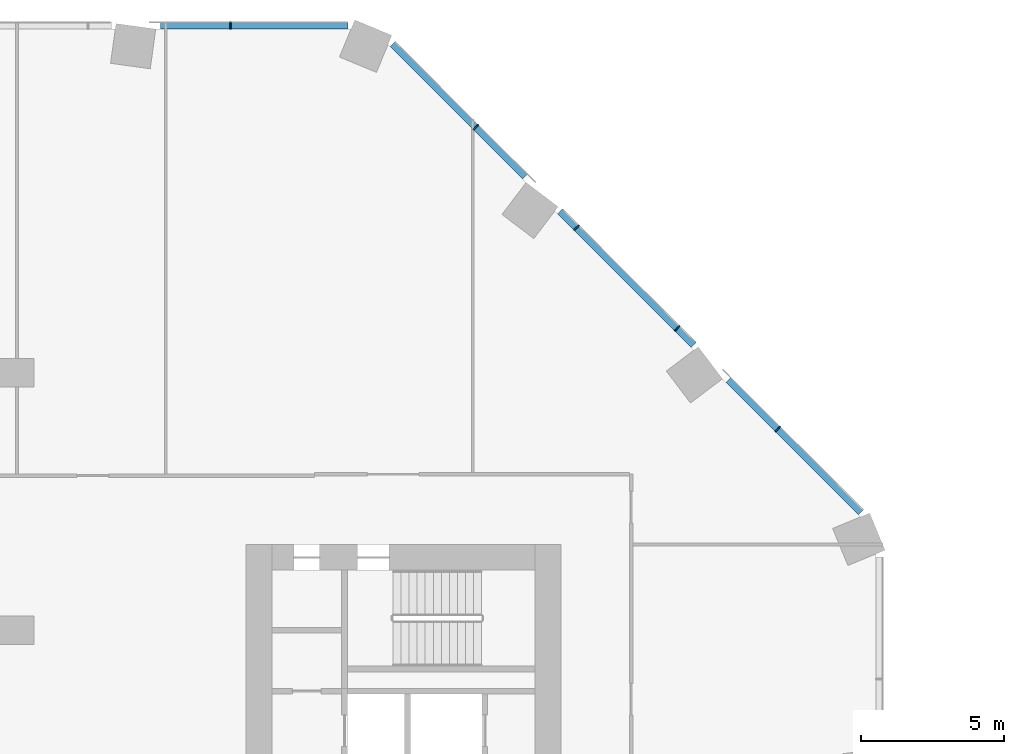
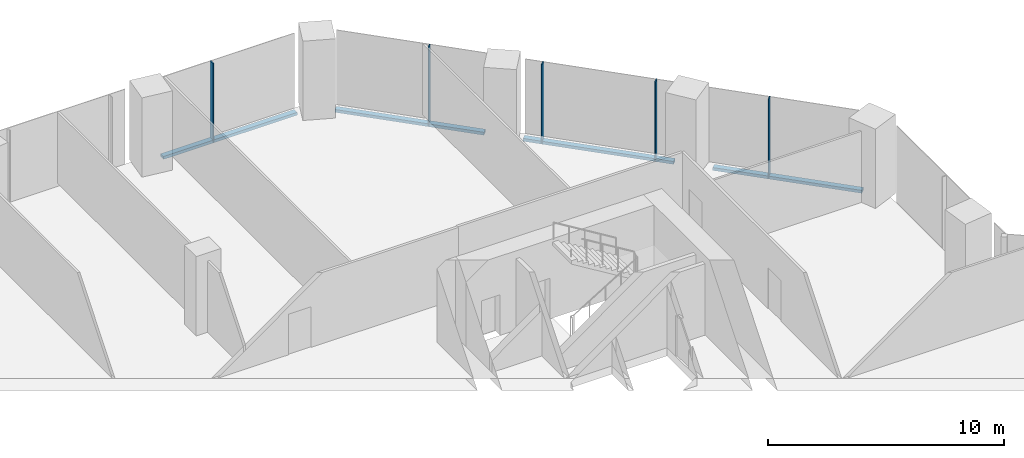
# One storey, part 11 of 29: 9 members, 2 elements without a shape of their own.
"""IFC4 building model written with IfcOpenShell, lengths in metres."""

from ifc_helpers import new_model, si_unit, direction, frame, origin, origin_2d, place, context, subcontext, project, spatial, rectangle, extrude, material, material_profile, profile_set, type_object, element, aggregate, save


model = new_model("IFC4")

# Units and contexts
model_context = context("Model", 3, precision=1e-05, world=origin(), true_north=direction((0.0, 1.0)))
body_context = subcontext(model_context, "Body", "Model", "MODEL_VIEW")
ifc_project = project(units=[si_unit("LENGTHUNIT", "METRE"), si_unit("AREAUNIT", "SQUARE_METRE"), si_unit("VOLUMEUNIT", "CUBIC_METRE"), si_unit("PLANEANGLEUNIT", "RADIAN"), si_unit("MASSUNIT", "GRAM", prefix="KILO")], contexts=[model_context])

# Site, building, storey
site_placement = place(None, origin())
site = spatial("IfcSite", under=ifc_project, at=site_placement, CompositionType="ELEMENT")
building_placement = place(site_placement, origin())
building = spatial("IfcBuilding", under=site, at=building_placement, Name="Orlundy Tower", CompositionType="ELEMENT")
storey_placement = place(building_placement, frame((0.0, 0.0, 25.10009765625)))
storey = spatial("IfcBuildingStorey", under=building, at=storey_placement, Name="L04", CompositionType="ELEMENT", Elevation=25.10009765625)

# Curtain wall, member
ifc_material_1 = material(Name="Aluminium bronze anodised", Category="aluminium")
curtain_wall_type = type_object("IfcCurtainWallType", Name="CW2 wall", PredefinedType="NOTDEFINED", material=ifc_material_1)
curtain_wall_1_placement = place(storey_placement, origin())
curtain_wall_1 = element("IfcCurtainWall", 1, at=curtain_wall_1_placement, inside=storey, type_object=curtain_wall_type, Name="CW2 run 015", PredefinedType="NOTDEFINED")
ifc_material_2 = material(Name="Aluminium bronze anodised", Category="aluminium")
ifc_material_profile_1 = material_profile(ifc_material_2, rectangle(XDim=0.25, YDim=0.050048828125, at=origin_2d()), Name="CW2 mullion 50x250")
ifc_profile_set_1 = profile_set([ifc_material_profile_1], Name="Aluminium bronze anodised")
member_type_1 = type_object("IfcMemberType", Name="CW2 mullion 50x250", PredefinedType="MULLION", material=ifc_profile_set_1)
member_1_placement = place(storey_placement, frame((7.45556640625, 30.125, -0.420166015625), z_axis=(0.0, 0.0, 1.0), x_axis=(0.0, 1.0, 0.0)))
member_1 = element("IfcMember", 2, at=member_1_placement, type_object=member_type_1, Name="CW2 mullion 43", PredefinedType="MULLION", context=body_context, shape_type="SweptSolid", body=[
    extrude(rectangle(XDim=0.25, YDim=0.050048828125, at=origin_2d()), origin(), (0.0, 0.0, 1.0), 4.1201171875),
])

# Curtain wall, members
curtain_wall_2_placement = place(storey_placement, origin())
curtain_wall_2 = element("IfcCurtainWall", 3, at=curtain_wall_2_placement, inside=storey, type_object=curtain_wall_type, Name="CW2 run 016", PredefinedType="NOTDEFINED")
member_2_placement = place(storey_placement, frame((16.029296875, 26.573486328125, -0.420166015625), z_axis=(0.0, 0.0, 1.0), x_axis=(0.707106781187, 0.707106781187, 0.0)))
member_2 = element("IfcMember", 4, at=member_2_placement, type_object=member_type_1, Name="CW2 mullion 45", PredefinedType="MULLION", context=body_context, shape_type="SweptSolid", body=[
    extrude(rectangle(XDim=0.25, YDim=0.050048828125, at=origin_2d()), origin(), (0.0, 0.0, 1.0), 4.1201171875),
])
member_3_placement = place(storey_placement, frame((19.5439453125, 23.058837890625, -0.420166015625), z_axis=(0.0, 0.0, 1.0), x_axis=(0.707106781187, 0.707106781187, 0.0)))
member_3 = element("IfcMember", 5, at=member_3_placement, type_object=member_type_1, Name="CW2 mullion 46", PredefinedType="MULLION", context=body_context, shape_type="SweptSolid", body=[
    extrude(rectangle(XDim=0.25, YDim=0.050048828125, at=origin_2d()), origin(), (0.0, 0.0, 1.0), 4.1201171875),
])
member_4_placement = place(storey_placement, frame((23.058837890625, 19.5439453125, -0.420166015625), z_axis=(0.0, 0.0, 1.0), x_axis=(0.707106781187, 0.707106781187, 0.0)))
member_4 = element("IfcMember", 6, at=member_4_placement, type_object=member_type_1, Name="CW2 mullion 47", PredefinedType="MULLION", context=body_context, shape_type="SweptSolid", body=[
    extrude(rectangle(XDim=0.25, YDim=0.050048828125, at=origin_2d()), origin(), (0.0, 0.0, 1.0), 4.1201171875),
])
member_5_placement = place(storey_placement, frame((26.573486328125, 16.029296875, -0.420166015625), z_axis=(0.0, 0.0, 1.0), x_axis=(0.707106781187, 0.707106781187, 0.0)))
member_5 = element("IfcMember", 7, at=member_5_placement, type_object=member_type_1, Name="CW2 mullion 48", PredefinedType="MULLION", context=body_context, shape_type="SweptSolid", body=[
    extrude(rectangle(XDim=0.25, YDim=0.050048828125, at=origin_2d()), origin(), (0.0, 0.0, 1.0), 4.1201171875),
])

# Member
ifc_material_3 = material(Name="Aluminium bronze anodised", Category="aluminium")
ifc_material_profile_2 = material_profile(ifc_material_3, rectangle(XDim=0.25, YDim=0.14990234375, at=origin_2d()), Name="CW2 transom 250x150")
ifc_profile_set_2 = profile_set([ifc_material_profile_2], Name="Aluminium bronze anodised")
member_type_2 = type_object("IfcMemberType", Name="CW2 transom 250x150", PredefinedType="USERDEFINED", material=ifc_profile_set_2)
member_6_placement = place(storey_placement, frame((5.01708984375, 30.125, -0.34521484375), z_axis=(1.0, 0.0, 0.0), x_axis=(0.0, 1.0, 0.0)))
member_6 = element("IfcMember", 8, at=member_6_placement, type_object=member_type_2, Name="CW2 transom", ObjectType="TRANSOM", PredefinedType="USERDEFINED", context=body_context, shape_type="SweptSolid", body=[
    extrude(rectangle(XDim=0.25, YDim=0.14990234375, at=origin_2d()), origin(), (0.0, 0.0, 1.0), 6.541259765625),
])

aggregate(curtain_wall_1, [member_1, member_6])

member_7_placement = place(storey_placement, frame((13.128662109375, 29.47412109375, -0.34521484375), z_axis=(0.707106781187, -0.707106781187, 0.0), x_axis=(0.707106781187, 0.707106781187, 0.0)))
member_7 = element("IfcMember", 9, at=member_7_placement, type_object=member_type_2, Name="CW2 transom", ObjectType="TRANSOM", PredefinedType="USERDEFINED", context=body_context, shape_type="SweptSolid", body=[
    extrude(rectangle(XDim=0.25, YDim=0.14990234375, at=origin_2d()), origin(), (0.0, 0.0, 1.0), 6.541015625),
])

member_8_placement = place(storey_placement, frame((18.96728515625, 23.635498046875, -0.34521484375), z_axis=(0.707106781187, -0.707106781187, 0.0), x_axis=(0.707106781187, 0.707106781187, 0.0)))
member_8 = element("IfcMember", 10, at=member_8_placement, type_object=member_type_2, Name="CW2 transom", ObjectType="TRANSOM", PredefinedType="USERDEFINED", context=body_context, shape_type="SweptSolid", body=[
    extrude(rectangle(XDim=0.25, YDim=0.14990234375, at=origin_2d()), origin(), (0.0, 0.0, 1.0), 6.601806640625),
])

member_9_placement = place(storey_placement, frame((24.848876953125, 17.75390625, -0.34521484375), z_axis=(0.707106781187, -0.707106781187, 0.0), x_axis=(0.707106781187, 0.707106781187, 0.0)))
member_9 = element("IfcMember", 11, at=member_9_placement, type_object=member_type_2, Name="CW2 transom", ObjectType="TRANSOM", PredefinedType="USERDEFINED", context=body_context, shape_type="SweptSolid", body=[
    extrude(rectangle(XDim=0.25, YDim=0.14990234375, at=origin_2d()), origin(), (0.0, 0.0, 1.0), 6.541015625),
])

aggregate(curtain_wall_2, [member_2, member_3, member_4, member_5, member_7, member_8, member_9])

save(model, "model.ifc")
